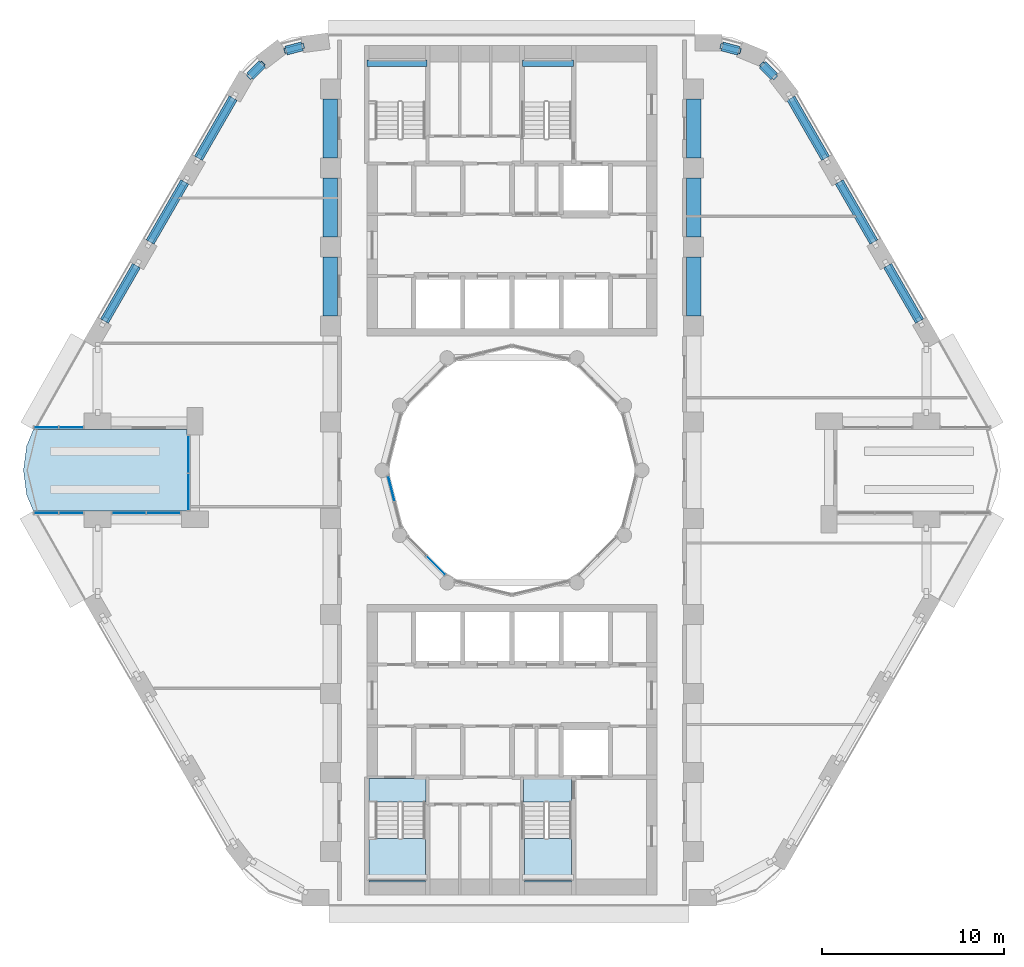
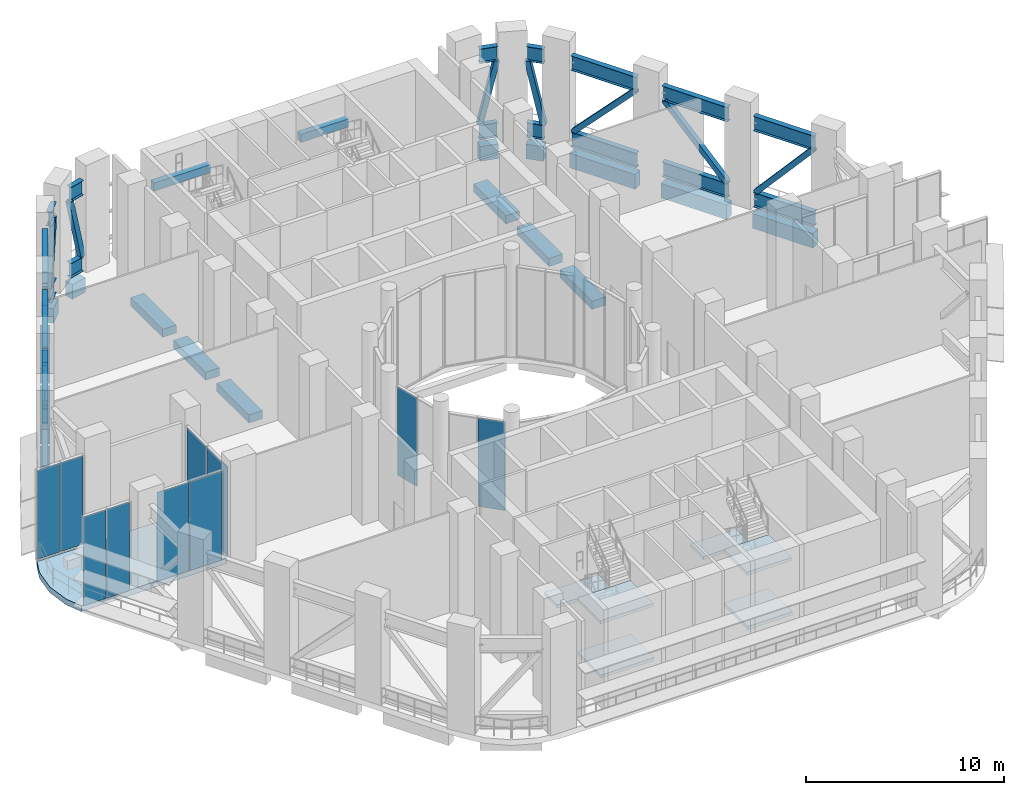
# One storey, part 6 of 20: 30 members, 18 beams, 10 plates, 7 slabs, 8 elements without a shape of their own.
"""IFC4 building model written with IfcOpenShell, lengths in metres."""

from ifc_helpers import new_model, si_unit, direction, frame, origin, origin_2d, place, context, subcontext, project, spatial, polyline, rectangle, hollow_rectangle, i_section, outline, extrude, material, layer, layer_set, material_profile, profile_set, type_object, element, aggregate, save


model = new_model("IFC4")

# Units and contexts
model_context = context("Model", 3, precision=1e-05, world=origin(), true_north=direction((0.0, 1.0)))
body_context = subcontext(model_context, "Body", "Model", "MODEL_VIEW")
ifc_project = project(units=[si_unit("LENGTHUNIT", "METRE"), si_unit("AREAUNIT", "SQUARE_METRE"), si_unit("VOLUMEUNIT", "CUBIC_METRE"), si_unit("PLANEANGLEUNIT", "RADIAN"), si_unit("MASSUNIT", "GRAM", prefix="KILO")], contexts=[model_context])

# Site, building, storey
site_placement = place(None, origin())
site = spatial("IfcSite", under=ifc_project, at=site_placement, CompositionType="ELEMENT")
building_placement = place(site_placement, origin())
building = spatial("IfcBuilding", under=site, at=building_placement, Name="Nakaniwa Court", CompositionType="ELEMENT")
storey_placement = place(building_placement, frame((0.0, 0.0, 71.10009765625)))
storey = spatial("IfcBuildingStorey", under=building, at=storey_placement, Name="S1", CompositionType="ELEMENT", Elevation=71.10009765625)

# Members
ifc_material_1 = material(Name="Steel Grade 350", Category="steel")
ifc_material_profile_1 = material_profile(ifc_material_1, i_section(OverallWidth=0.300048828125, OverallDepth=0.89990234375, WebThickness=0.011962890625, FlangeThickness=0.02001953125, at=origin_2d()), Name="900WB175")
ifc_profile_set_1 = profile_set([ifc_material_profile_1], Name="Steel Grade 350")
member_type_1 = type_object("IfcMemberType", Name="BELT chord 900 WB175", PredefinedType="CHORD", material=ifc_profile_set_1)
for number, where, z_axis, x_axis, name in (
    (1, (68.444580078125, 103.35546875, 0.449951171875), (-0.966287893493, -0.25746399144, 0.0), (0.25746399144, -0.966287893493, 0.0), "BELT CHORD BT-01-B"),
    (2, (68.444580078125, 103.35546875, 5.139892578125), (-0.966287893493, -0.25746399144, 0.0), (0.25746399144, -0.966287893493, 0.0), "BELT CHORD BT-01-T"),
):
    element("IfcMember", number, at=place(storey_placement, frame(where, z_axis=z_axis, x_axis=x_axis)), inside=storey, type_object=member_type_1, Name=name, PredefinedType="CHORD", context=body_context, shape_type="SweptSolid", body=[
        extrude(i_section(OverallWidth=0.300048828125, OverallDepth=0.89990234375, WebThickness=0.011962890625, FlangeThickness=0.02001953125, at=origin_2d()), origin(), (0.0, 0.0, 1.0), 0.91796875),
    ])
for number, where, z_axis, x_axis, name in (
    (3, (66.238525390625, 102.374267578125, 0.449951171875), (-0.706081618928, -0.708130459317, 0.0), (0.708130459317, -0.706081618928, 0.0), "BELT CHORD BT-02-B"),
    (4, (66.238525390625, 102.374267578125, 5.139892578125), (-0.706081618928, -0.708130459317, 0.0), (0.708130459317, -0.706081618928, 0.0), "BELT CHORD BT-02-T"),
):
    element("IfcMember", number, at=place(storey_placement, frame(where, z_axis=z_axis, x_axis=x_axis)), inside=storey, type_object=member_type_1, Name=name, PredefinedType="CHORD", context=body_context, shape_type="SweptSolid", body=[
        extrude(i_section(OverallWidth=0.300048828125, OverallDepth=0.89990234375, WebThickness=0.011962890625, FlangeThickness=0.02001953125, at=origin_2d()), origin(), (0.0, 0.0, 1.0), 0.953369140625),
    ])
for number, where, z_axis, x_axis, name in (
    (5, (64.642578125, 100.5, 0.449951171875), (-0.500009674092, -0.866019818373, 0.0), (0.866019818373, -0.500009674092, 0.0), "BELT CHORD BT-03-B"),
    (6, (64.642578125, 100.5, 5.139892578125), (-0.500009674092, -0.866019818373, 0.0), (0.866019818373, -0.500009674092, 0.0), "BELT CHORD BT-03-T"),
):
    element("IfcMember", number, at=place(storey_placement, frame(where, z_axis=z_axis, x_axis=x_axis)), inside=storey, type_object=member_type_1, Name=name, PredefinedType="CHORD", context=body_context, shape_type="SweptSolid", body=[
        extrude(i_section(OverallWidth=0.300048828125, OverallDepth=0.89990234375, WebThickness=0.011962890625, FlangeThickness=0.02001953125, at=origin_2d()), origin(), (0.0, 0.0, 1.0), 3.826171875),
    ])
for number, where, z_axis, x_axis, name in (
    (7, (61.9794921875, 95.8876953125, 0.449951171875), (-0.499961815444, -0.866047448526, 0.0), (0.866047448526, -0.499961815444, 0.0), "BELT CHORD BT-04-B"),
    (8, (61.9794921875, 95.8876953125, 5.139892578125), (-0.499961815444, -0.866047448526, 0.0), (0.866047448526, -0.499961815444, 0.0), "BELT CHORD BT-04-T"),
):
    element("IfcMember", number, at=place(storey_placement, frame(where, z_axis=z_axis, x_axis=x_axis)), inside=storey, type_object=member_type_1, Name=name, PredefinedType="CHORD", context=body_context, shape_type="SweptSolid", body=[
        extrude(i_section(OverallWidth=0.300048828125, OverallDepth=0.89990234375, WebThickness=0.011962890625, FlangeThickness=0.02001953125, at=origin_2d()), origin(), (0.0, 0.0, 1.0), 3.825927734375),
    ])
for number, where, z_axis, x_axis, name in (
    (9, (59.316650390625, 91.275146484375, 0.449951171875), (-0.500067800301, -0.865986255723, 0.0), (0.865986255723, -0.500067800301, 0.0), "BELT CHORD BT-05-B"),
    (10, (59.316650390625, 91.275146484375, 5.139892578125), (-0.500067800301, -0.865986255723, 0.0), (0.865986255723, -0.500067800301, 0.0), "BELT CHORD BT-05-T"),
    (11, (102.447998046875, 88.21923828125, 0.449951171875), (-0.500067800301, 0.865986255723, 0.0), (-0.865986255723, -0.500067800301, 0.0), "BELT CHORD BT-18-B"),
    (12, (102.447998046875, 88.21923828125, 5.139892578125), (-0.500067800301, 0.865986255723, 0.0), (-0.865986255723, -0.500067800301, 0.0), "BELT CHORD BT-18-T"),
):
    element("IfcMember", number, at=place(storey_placement, frame(where, z_axis=z_axis, x_axis=x_axis)), inside=storey, type_object=member_type_1, Name=name, PredefinedType="CHORD", context=body_context, shape_type="SweptSolid", body=[
        extrude(i_section(OverallWidth=0.300048828125, OverallDepth=0.89990234375, WebThickness=0.011962890625, FlangeThickness=0.02001953125, at=origin_2d()), origin(), (0.0, 0.0, 1.0), 3.52880859375),
    ])
for number, where, z_axis, x_axis, name in (
    (13, (99.933349609375, 92.57421875, 0.449951171875), (-0.499961815444, 0.866047448526, 0.0), (-0.866047448526, -0.499961815444, 0.0), "BELT CHORD BT-19-B"),
    (14, (99.933349609375, 92.57421875, 5.139892578125), (-0.499961815444, 0.866047448526, 0.0), (-0.866047448526, -0.499961815444, 0.0), "BELT CHORD BT-19-T"),
):
    element("IfcMember", number, at=place(storey_placement, frame(where, z_axis=z_axis, x_axis=x_axis)), inside=storey, type_object=member_type_1, Name=name, PredefinedType="CHORD", context=body_context, shape_type="SweptSolid", body=[
        extrude(i_section(OverallWidth=0.300048828125, OverallDepth=0.89990234375, WebThickness=0.011962890625, FlangeThickness=0.02001953125, at=origin_2d()), origin(), (0.0, 0.0, 1.0), 3.825927734375),
    ])
for number, where, z_axis, x_axis, name in (
    (15, (97.2705078125, 97.1865234375, 0.449951171875), (-0.500023067617, 0.86601208528, 0.0), (-0.86601208528, -0.500023067617, 0.0), "BELT CHORD BT-20-B"),
    (16, (97.2705078125, 97.1865234375, 5.139892578125), (-0.500023067617, 0.86601208528, 0.0), (-0.86601208528, -0.500023067617, 0.0), "BELT CHORD BT-20-T"),
):
    element("IfcMember", number, at=place(storey_placement, frame(where, z_axis=z_axis, x_axis=x_axis)), inside=storey, type_object=member_type_1, Name=name, PredefinedType="CHORD", context=body_context, shape_type="SweptSolid", body=[
        extrude(i_section(OverallWidth=0.300048828125, OverallDepth=0.89990234375, WebThickness=0.011962890625, FlangeThickness=0.02001953125, at=origin_2d()), origin(), (0.0, 0.0, 1.0), 3.819580078125),
    ])
for number, where, z_axis, x_axis, name in (
    (17, (94.448486328125, 101.68505859375, 0.449951171875), (-0.705908410536, 0.708303124329, 0.0), (-0.708303124329, -0.705908410536, 0.0), "BELT CHORD BT-21-B"),
    (18, (94.448486328125, 101.68505859375, 5.139892578125), (-0.705908410536, 0.708303124329, 0.0), (-0.708303124329, -0.705908410536, 0.0), "BELT CHORD BT-21-T"),
):
    element("IfcMember", number, at=place(storey_placement, frame(where, z_axis=z_axis, x_axis=x_axis)), inside=storey, type_object=member_type_1, Name=name, PredefinedType="CHORD", context=body_context, shape_type="SweptSolid", body=[
        extrude(i_section(OverallWidth=0.300048828125, OverallDepth=0.89990234375, WebThickness=0.011962890625, FlangeThickness=0.02001953125, at=origin_2d()), origin(), (0.0, 0.0, 1.0), 0.91748046875),
    ])
for number, where, z_axis, x_axis, name in (
    (19, (92.49609375, 103.10498046875, 0.449951171875), (-0.966324126494, 0.257327966912, 0.0), (-0.257327966912, -0.966324126494, 0.0), "BELT CHORD BT-22-B"),
    (20, (92.49609375, 103.10498046875, 5.139892578125), (-0.966324126494, 0.257327966912, 0.0), (-0.257327966912, -0.966324126494, 0.0), "BELT CHORD BT-22-T"),
):
    element("IfcMember", number, at=place(storey_placement, frame(where, z_axis=z_axis, x_axis=x_axis)), inside=storey, type_object=member_type_1, Name=name, PredefinedType="CHORD", context=body_context, shape_type="SweptSolid", body=[
        extrude(i_section(OverallWidth=0.300048828125, OverallDepth=0.89990234375, WebThickness=0.011962890625, FlangeThickness=0.02001953125, at=origin_2d()), origin(), (0.0, 0.0, 1.0), 0.95361328125),
    ])
ifc_material_profile_2 = material_profile(ifc_material_1, hollow_rectangle(XDim=0.300048828125, YDim=0.300048828125, WallThickness=0.012451171875, at=origin_2d()), Name="BELT diagonal 300x300x12.5 SHS")
ifc_profile_set_2 = profile_set([ifc_material_profile_2], Name="Steel Grade 350")
member_type_2 = type_object("IfcMemberType", Name="BELT diagonal 300x300x12.5 SHS", PredefinedType="BRACE", material=ifc_profile_set_2)
member_1_placement = place(storey_placement, frame((68.40576171875, 103.34521484375, 0.89990234375), z_axis=(-0.208569180982, -0.055601675509, 0.97642580385), x_axis=(0.257590104227, -0.966254282373, 0.0)))
element("IfcMember", 21, at=member_1_placement, inside=storey, type_object=member_type_2, Name="BELT DIAGONAL BT-01-D", PredefinedType="BRACE", context=body_context, shape_type="SweptSolid", body=[
    extrude(hollow_rectangle(XDim=0.300048828125, YDim=0.300048828125, WallThickness=0.012451171875, at=origin_2d()), origin(), (0.0, 0.0, 1.0), 3.881591796875),
])
member_2_placement = place(storey_placement, frame((66.210205078125, 102.345947265625, 4.68994140625), z_axis=(-0.15849928373, -0.159001459679, -0.974472427972), x_axis=(0.708224292771, -0.705987500689, 0.0)))
element("IfcMember", 22, at=member_2_placement, inside=storey, type_object=member_type_2, Name="BELT DIAGONAL BT-02-D", PredefinedType="BRACE", context=body_context, shape_type="SweptSolid", body=[
    extrude(hollow_rectangle(XDim=0.300048828125, YDim=0.300048828125, WallThickness=0.012451171875, at=origin_2d()), origin(), (0.0, 0.0, 1.0), 3.889404296875),
])
for number, where, z_axis, x_axis, name in (
    (23, (64.592529296875, 100.413330078125, 0.89990234375), (-0.345649268682, -0.598672353055, 0.722577329251), (0.866021880676, -0.500006102154, 0.0), "BELT DIAGONAL BT-03-D"),
    (24, (61.929443359375, 95.801025390625, 4.68994140625), (-0.34560828286, -0.598681984396, -0.722588953955), (0.866051035956, -0.499955601149, 0.0), "BELT DIAGONAL BT-04-D"),
):
    element("IfcMember", number, at=place(storey_placement, frame(where, z_axis=z_axis, x_axis=x_axis)), inside=storey, type_object=member_type_2, Name=name, PredefinedType="BRACE", context=body_context, shape_type="SweptSolid", body=[
        extrude(hollow_rectangle(XDim=0.300048828125, YDim=0.300048828125, WallThickness=0.012451171875, at=origin_2d()), origin(), (0.0, 0.0, 1.0), 5.2451171875),
    ])
for number, where, z_axis, x_axis, name in (
    (25, (59.2666015625, 91.188720703125, 0.89990234375), (-0.329981477951, -0.571490362518, 0.75133946373), (0.866004823592, -0.500035644245, 0.0), "BELT DIAGONAL BT-05-D"),
    (26, (102.39794921875, 88.305908203125, 4.68994140625), (-0.329981477951, 0.571490362518, -0.75133946373), (-0.866004823592, -0.500035644245, 0.0), "BELT DIAGONAL BT-18-D"),
):
    element("IfcMember", number, at=place(storey_placement, frame(where, z_axis=z_axis, x_axis=x_axis)), inside=storey, type_object=member_type_2, Name=name, PredefinedType="BRACE", context=body_context, shape_type="SweptSolid", body=[
        extrude(hollow_rectangle(XDim=0.300048828125, YDim=0.300048828125, WallThickness=0.012451171875, at=origin_2d()), origin(), (0.0, 0.0, 1.0), 5.04443359375),
    ])
member_3_placement = place(storey_placement, frame((99.88330078125, 92.660888671875, 0.89990234375), z_axis=(-0.34560828286, 0.598681984396, 0.722588953955), x_axis=(-0.866051035956, -0.499955601149, 0.0)))
element("IfcMember", 27, at=member_3_placement, inside=storey, type_object=member_type_2, Name="BELT DIAGONAL BT-19-D", PredefinedType="BRACE", context=body_context, shape_type="SweptSolid", body=[
    extrude(hollow_rectangle(XDim=0.300048828125, YDim=0.300048828125, WallThickness=0.012451171875, at=origin_2d()), origin(), (0.0, 0.0, 1.0), 5.2451171875),
])
member_4_placement = place(storey_placement, frame((97.220458984375, 97.273193359375, 4.68994140625), z_axis=(-0.345337594876, 0.598109993339, -0.723191801276), x_axis=(-0.866013723652, -0.500020230036, 0.0)))
element("IfcMember", 28, at=member_4_placement, inside=storey, type_object=member_type_2, Name="BELT DIAGONAL BT-20-D", PredefinedType="BRACE", context=body_context, shape_type="SweptSolid", body=[
    extrude(hollow_rectangle(XDim=0.300048828125, YDim=0.300048828125, WallThickness=0.012451171875, at=origin_2d()), origin(), (0.0, 0.0, 1.0), 5.24072265625),
])
member_5_placement = place(storey_placement, frame((94.42041015625, 101.71337890625, 0.89990234375), z_axis=(-0.152340434133, 0.152843623016, 0.976438026211), x_axis=(-0.708271699374, -0.705939940693, 0.0)))
element("IfcMember", 29, at=member_5_placement, inside=storey, type_object=member_type_2, Name="BELT DIAGONAL BT-21-D", PredefinedType="BRACE", context=body_context, shape_type="SweptSolid", body=[
    extrude(hollow_rectangle(XDim=0.300048828125, YDim=0.300048828125, WallThickness=0.012451171875, at=origin_2d()), origin(), (0.0, 0.0, 1.0), 3.881591796875),
])
member_6_placement = place(storey_placement, frame((92.45751953125, 103.115234375, 4.68994140625), z_axis=(-0.21705944237, 0.057811378376, -0.974444992295), x_axis=(-0.25736696234, -0.966313741337, 0.0)))
element("IfcMember", 30, at=member_6_placement, inside=storey, type_object=member_type_2, Name="BELT DIAGONAL BT-22-D", PredefinedType="BRACE", context=body_context, shape_type="SweptSolid", body=[
    extrude(hollow_rectangle(XDim=0.300048828125, YDim=0.300048828125, WallThickness=0.012451171875, at=origin_2d()), origin(), (0.0, 0.0, 1.0), 3.889404296875),
])

# Beams
ifc_material_2 = material(Name="Concrete C80/100", Category="concrete")
ifc_material_profile_3 = material_profile(ifc_material_2, rectangle(XDim=0.35009765625, YDim=0.5, at=origin_2d()), Name="Concrete C80/100 RC 350x500 landing ledge beam")
ifc_profile_set_3 = profile_set([ifc_material_profile_3], Name="Concrete C80/100")
beam_type_1 = type_object("IfcBeamType", Name="Concrete C80/100 RC 350x500 landing ledge beam", PredefinedType="BEAM", material=ifc_profile_set_3)
beam_1_placement = place(storey_placement, frame((72.02490234375, 102.425048828125, 4.5), z_axis=(1.0, 0.0, 0.0), x_axis=(0.0, 1.0, 0.0)))
element("IfcBeam", 31, at=beam_1_placement, inside=storey, type_object=beam_type_1, Name="LANDING LEDGE BEAM", PredefinedType="BEAM", context=body_context, shape_type="SweptSolid", body=[
    extrude(rectangle(XDim=0.35009765625, YDim=0.5, at=origin_2d()), origin(), (0.0, 0.0, 1.0), 3.300048828125),
])
beam_2_placement = place(storey_placement, frame((80.574951171875, 102.425048828125, 4.5), z_axis=(1.0, 0.0, 0.0), x_axis=(0.0, 1.0, 0.0)))
element("IfcBeam", 32, at=beam_2_placement, inside=storey, type_object=beam_type_1, Name="LANDING LEDGE BEAM", PredefinedType="BEAM", context=body_context, shape_type="SweptSolid", body=[
    extrude(rectangle(XDim=0.35009765625, YDim=0.5, at=origin_2d()), origin(), (0.0, 0.0, 1.0), 2.800048828125),
])
ifc_material_profile_4 = material_profile(ifc_material_2, rectangle(XDim=0.5, YDim=0.89990234375, at=origin_2d()), Name="Concrete C80/100 RC 500x900 spandrel beam")
ifc_profile_set_4 = profile_set([ifc_material_profile_4], Name="Concrete C80/100")
beam_type_2 = type_object("IfcBeamType", Name="Concrete C80/100 RC 500x900 spandrel beam", PredefinedType="BEAM", material=ifc_profile_set_4)
beam_3_placement = place(storey_placement, frame((68.444580078125, 103.35546875, -0.800048828125), z_axis=(-0.966287893493, -0.25746399144, 0.0), x_axis=(0.25746399144, -0.966287893493, 0.0)))
element("IfcBeam", 33, at=beam_3_placement, inside=storey, type_object=beam_type_2, Name="SPANDREL BEAM", PredefinedType="BEAM", context=body_context, shape_type="SweptSolid", body=[
    extrude(rectangle(XDim=0.5, YDim=0.89990234375, at=origin_2d()), origin(), (0.0, 0.0, 1.0), 0.91796875),
])
beam_4_placement = place(storey_placement, frame((66.238525390625, 102.374267578125, -0.800048828125), z_axis=(-0.706081618928, -0.708130459317, 0.0), x_axis=(0.708130459317, -0.706081618928, 0.0)))
element("IfcBeam", 34, at=beam_4_placement, inside=storey, type_object=beam_type_2, Name="SPANDREL BEAM", PredefinedType="BEAM", context=body_context, shape_type="SweptSolid", body=[
    extrude(rectangle(XDim=0.5, YDim=0.89990234375, at=origin_2d()), origin(), (0.0, 0.0, 1.0), 0.953369140625),
])
beam_5_placement = place(storey_placement, frame((64.642578125, 100.5, -0.800048828125), z_axis=(-0.500009674092, -0.866019818373, 0.0), x_axis=(0.866019818373, -0.500009674092, 0.0)))
element("IfcBeam", 35, at=beam_5_placement, inside=storey, type_object=beam_type_2, Name="SPANDREL BEAM", PredefinedType="BEAM", context=body_context, shape_type="SweptSolid", body=[
    extrude(rectangle(XDim=0.5, YDim=0.89990234375, at=origin_2d()), origin(), (0.0, 0.0, 1.0), 3.826171875),
])
beam_6_placement = place(storey_placement, frame((61.9794921875, 95.8876953125, -0.800048828125), z_axis=(-0.499961815444, -0.866047448526, 0.0), x_axis=(0.866047448526, -0.499961815444, 0.0)))
element("IfcBeam", 36, at=beam_6_placement, inside=storey, type_object=beam_type_2, Name="SPANDREL BEAM", PredefinedType="BEAM", context=body_context, shape_type="SweptSolid", body=[
    extrude(rectangle(XDim=0.5, YDim=0.89990234375, at=origin_2d()), origin(), (0.0, 0.0, 1.0), 3.825927734375),
])
for number, where, z_axis, x_axis, name in (
    (37, (59.316650390625, 91.275146484375, -0.800048828125), (-0.500067800301, -0.865986255723, 0.0), (0.865986255723, -0.500067800301, 0.0), "SPANDREL BEAM"),
    (38, (102.447998046875, 88.21923828125, -0.800048828125), (-0.500067800301, 0.865986255723, 0.0), (-0.865986255723, -0.500067800301, 0.0), "SPANDREL BEAM"),
):
    element("IfcBeam", number, at=place(storey_placement, frame(where, z_axis=z_axis, x_axis=x_axis)), inside=storey, type_object=beam_type_2, Name=name, PredefinedType="BEAM", context=body_context, shape_type="SweptSolid", body=[
        extrude(rectangle(XDim=0.5, YDim=0.89990234375, at=origin_2d()), origin(), (0.0, 0.0, 1.0), 3.52880859375),
    ])
beam_7_placement = place(storey_placement, frame((99.933349609375, 92.57421875, -0.800048828125), z_axis=(-0.499961815444, 0.866047448526, 0.0), x_axis=(-0.866047448526, -0.499961815444, 0.0)))
element("IfcBeam", 39, at=beam_7_placement, inside=storey, type_object=beam_type_2, Name="SPANDREL BEAM", PredefinedType="BEAM", context=body_context, shape_type="SweptSolid", body=[
    extrude(rectangle(XDim=0.5, YDim=0.89990234375, at=origin_2d()), origin(), (0.0, 0.0, 1.0), 3.825927734375),
])
beam_8_placement = place(storey_placement, frame((97.2705078125, 97.1865234375, -0.800048828125), z_axis=(-0.500023067617, 0.86601208528, 0.0), x_axis=(-0.86601208528, -0.500023067617, 0.0)))
element("IfcBeam", 40, at=beam_8_placement, inside=storey, type_object=beam_type_2, Name="SPANDREL BEAM", PredefinedType="BEAM", context=body_context, shape_type="SweptSolid", body=[
    extrude(rectangle(XDim=0.5, YDim=0.89990234375, at=origin_2d()), origin(), (0.0, 0.0, 1.0), 3.819580078125),
])
beam_9_placement = place(storey_placement, frame((94.448486328125, 101.68505859375, -0.800048828125), z_axis=(-0.705908410536, 0.708303124329, 0.0), x_axis=(-0.708303124329, -0.705908410536, 0.0)))
element("IfcBeam", 41, at=beam_9_placement, inside=storey, type_object=beam_type_2, Name="SPANDREL BEAM", PredefinedType="BEAM", context=body_context, shape_type="SweptSolid", body=[
    extrude(rectangle(XDim=0.5, YDim=0.89990234375, at=origin_2d()), origin(), (0.0, 0.0, 1.0), 0.91748046875),
])
beam_10_placement = place(storey_placement, frame((92.49609375, 103.10498046875, -0.800048828125), z_axis=(-0.966324126494, 0.257327966912, 0.0), x_axis=(-0.257327966912, -0.966324126494, 0.0)))
element("IfcBeam", 42, at=beam_10_placement, inside=storey, type_object=beam_type_2, Name="SPANDREL BEAM", PredefinedType="BEAM", context=body_context, shape_type="SweptSolid", body=[
    extrude(rectangle(XDim=0.5, YDim=0.89990234375, at=origin_2d()), origin(), (0.0, 0.0, 1.0), 0.95361328125),
])
ifc_material_profile_5 = material_profile(ifc_material_2, rectangle(XDim=0.800048828125, YDim=0.5, at=origin_2d()), Name="Concrete C80/100 RC 800x500 ring beam")
ifc_profile_set_5 = profile_set([ifc_material_profile_5], Name="Concrete C80/100")
beam_type_3 = type_object("IfcBeamType", Name="Concrete C80/100 RC 800x500 ring beam", PredefinedType="BEAM", material=ifc_profile_set_5)
for number, where, z_axis, x_axis, name in (
    (43, (90.0, 88.5, -0.60009765625), (0.0, 1.0, 0.0), (-1.0, 0.0, 0.0), "RING BEAM"),
    (44, (90.0, 92.85009765625, -0.60009765625), (0.0, 1.0, 0.0), (-1.0, 0.0, 0.0), "RING BEAM"),
    (45, (90.0, 97.199951171875, -0.60009765625), (0.0, 1.0, 0.0), (-1.0, 0.0, 0.0), "RING BEAM"),
    (46, (70.0, 100.449951171875, -0.60009765625), (0.0, -1.0, 0.0), (1.0, 0.0, 0.0), "RING BEAM"),
    (47, (70.0, 96.10009765625, -0.60009765625), (0.0, -1.0, 0.0), (1.0, 0.0, 0.0), "RING BEAM"),
    (48, (70.0, 91.75, -0.60009765625), (0.0, -1.0, 0.0), (1.0, 0.0, 0.0), "RING BEAM"),
):
    element("IfcBeam", number, at=place(storey_placement, frame(where, z_axis=z_axis, x_axis=x_axis)), inside=storey, type_object=beam_type_3, Name=name, PredefinedType="BEAM", context=body_context, shape_type="SweptSolid", body=[
        extrude(rectangle(XDim=0.800048828125, YDim=0.5, at=origin_2d()), origin(), (0.0, 0.0, 1.0), 3.25),
    ])

# Curtain wall, plate
ifc_material_3 = material(Name="Black anodised aluminium frame with dark low-E laminated double glazing", Category="aluminium")
ifc_layer_1 = layer(ifc_material_3, 0.199951171875)
ifc_layer_set_1 = layer_set([ifc_layer_1], Name="Black anodised aluminium frame with dark low-E laminated double glazing")
curtain_wall_type = type_object("IfcCurtainWallType", Name="Amenity and sky level curtain wall", PredefinedType="NOTDEFINED", material=ifc_layer_set_1)
curtain_wall_1_placement = place(storey_placement, origin())
curtain_wall_1 = element("IfcCurtainWall", 49, at=curtain_wall_1_placement, inside=storey, type_object=curtain_wall_type, Name="S1 curtain wall CW3 40", PredefinedType="NOTDEFINED")
ifc_material_4 = material(Name="Dark toughened glass", Category="glass")
ifc_layer_2 = layer(ifc_material_4, 0.006, Name="Outer pane")
ifc_material_5 = material(Name="Argon filled cavity")
ifc_layer_3 = layer(ifc_material_5, 0.016, Name="Cavity")
ifc_material_6 = material(Name="Dark laminated safety glass", Category="glass")
ifc_layer_4 = layer(ifc_material_6, 0.006, Name="Inner pane")
ifc_layer_set_2 = layer_set([ifc_layer_2, ifc_layer_3, ifc_layer_4], Name="Dark low-E laminated double glazing")
plate_type = type_object("IfcPlateType", Name="Amenity and sky level curtain wall glass panel", PredefinedType="CURTAIN_PANEL", material=ifc_layer_set_2)
plate_1_placement = place(storey_placement, frame((75.810791015625, 74.758056640625, 0.054931640625), z_axis=(0.0, 0.0, 1.0), x_axis=(-0.707106781187, 0.707106781187, 0.0)))
plate_1 = element("IfcPlate", 50, at=plate_1_placement, type_object=plate_type, Name="CW3 panel 1.1", PredefinedType="CURTAIN_PANEL", context=body_context, shape_type="SweptSolid", body=[
    extrude(rectangle(XDim=1.43408203125, YDim=0.028076171875, at=origin_2d()), origin(), (0.0, 0.0, 1.0), 5.47998046875),
])
aggregate(curtain_wall_1, [plate_1])

curtain_wall_2_placement = place(storey_placement, origin())
curtain_wall_2 = element("IfcCurtainWall", 51, at=curtain_wall_2_placement, inside=storey, type_object=curtain_wall_type, Name="S1 curtain wall CW3 41", PredefinedType="NOTDEFINED")
plate_2_placement = place(storey_placement, frame((73.35302734375, 78.99365234375, 0.054931640625), z_axis=(0.0, 0.0, 1.0), x_axis=(-0.247113807661, 0.968986463302, 0.0)))
plate_2 = element("IfcPlate", 52, at=plate_2_placement, type_object=plate_type, Name="CW3 panel 2.1", PredefinedType="CURTAIN_PANEL", context=body_context, shape_type="SweptSolid", body=[
    extrude(rectangle(XDim=1.42236328125, YDim=0.028076171875, at=origin_2d()), origin(), (0.0, 0.0, 1.0), 5.47998046875),
])
aggregate(curtain_wall_2, [plate_2])

# Curtain wall, plates
curtain_wall_3_placement = place(storey_placement, origin())
curtain_wall_3 = element("IfcCurtainWall", 53, at=curtain_wall_3_placement, inside=storey, type_object=curtain_wall_type, Name="S1 curtain wall CW3 15", PredefinedType="NOTDEFINED")
plate_3_placement = place(storey_placement, frame((54.35400390625, 82.35009765625, 0.054931640625), z_axis=(0.0, 0.0, 1.0), x_axis=(1.0, 0.0, 0.0)))
plate_3 = element("IfcPlate", 54, at=plate_3_placement, type_object=plate_type, Name="CW3 panel 1.1", PredefinedType="CURTAIN_PANEL", context=body_context, shape_type="SweptSolid", body=[
    extrude(rectangle(XDim=1.311279296875, YDim=0.028076171875, at=origin_2d()), origin(), (0.0, 0.0, 1.0), 5.47998046875),
])
plate_4_placement = place(storey_placement, frame((55.720458984375, 82.35009765625, 0.054931640625), z_axis=(0.0, 0.0, 1.0), x_axis=(1.0, 0.0, 0.0)))
plate_4 = element("IfcPlate", 55, at=plate_4_placement, type_object=plate_type, Name="CW3 panel 2.1", PredefinedType="CURTAIN_PANEL", context=body_context, shape_type="SweptSolid", body=[
    extrude(rectangle(XDim=1.311279296875, YDim=0.028076171875, at=origin_2d()), origin(), (0.0, 0.0, 1.0), 5.47998046875),
])
aggregate(curtain_wall_3, [plate_3, plate_4])

curtain_wall_4_placement = place(storey_placement, origin())
curtain_wall_4 = element("IfcCurtainWall", 56, at=curtain_wall_4_placement, inside=storey, type_object=curtain_wall_type, Name="S1 curtain wall CW3 17", PredefinedType="NOTDEFINED")
plate_5_placement = place(storey_placement, frame((62.191650390625, 80.88818359375, 0.054931640625), z_axis=(0.0, 0.0, 1.0), x_axis=(0.0, -1.0, 0.0)))
plate_5 = element("IfcPlate", 57, at=plate_5_placement, type_object=plate_type, Name="CW3 panel 1.1", PredefinedType="CURTAIN_PANEL", context=body_context, shape_type="SweptSolid", body=[
    extrude(rectangle(XDim=2.021484375, YDim=0.028076171875, at=origin_2d()), origin(), (0.0, 0.0, 1.0), 5.47998046875),
])
plate_6_placement = place(storey_placement, frame((62.191650390625, 78.811767578125, 0.054931640625), z_axis=(0.0, 0.0, 1.0), x_axis=(0.0, -1.0, 0.0)))
plate_6 = element("IfcPlate", 58, at=plate_6_placement, type_object=plate_type, Name="CW3 panel 2.1", PredefinedType="CURTAIN_PANEL", context=body_context, shape_type="SweptSolid", body=[
    extrude(rectangle(XDim=2.021484375, YDim=0.028076171875, at=origin_2d()), origin(), (0.0, 0.0, 1.0), 5.47998046875),
])
aggregate(curtain_wall_4, [plate_5, plate_6])

curtain_wall_5_placement = place(storey_placement, origin())
curtain_wall_5 = element("IfcCurtainWall", 59, at=curtain_wall_5_placement, inside=storey, type_object=curtain_wall_type, Name="S1 curtain wall CW3 18", PredefinedType="NOTDEFINED")
plate_7_placement = place(storey_placement, frame((60.813720703125, 77.64990234375, 0.054931640625), z_axis=(0.0, 0.0, 1.0), x_axis=(-1.0, 0.0, 0.0)))
plate_7 = element("IfcPlate", 60, at=plate_7_placement, type_object=plate_type, Name="CW3 panel 1.1", PredefinedType="CURTAIN_PANEL", context=body_context, shape_type="SweptSolid", body=[
    extrude(rectangle(XDim=1.853759765625, YDim=0.028076171875, at=origin_2d()), origin(), (0.0, 0.0, 1.0), 5.47998046875),
])
plate_8_placement = place(storey_placement, frame((58.905029296875, 77.64990234375, 0.054931640625), z_axis=(0.0, 0.0, 1.0), x_axis=(-1.0, 0.0, 0.0)))
plate_8 = element("IfcPlate", 61, at=plate_8_placement, type_object=plate_type, Name="CW3 panel 2.1", PredefinedType="CURTAIN_PANEL", context=body_context, shape_type="SweptSolid", body=[
    extrude(rectangle(XDim=1.853759765625, YDim=0.028076171875, at=origin_2d()), origin(), (0.0, 0.0, 1.0), 5.47998046875),
])
aggregate(curtain_wall_5, [plate_7, plate_8])

curtain_wall_6_placement = place(storey_placement, origin())
curtain_wall_6 = element("IfcCurtainWall", 62, at=curtain_wall_6_placement, inside=storey, type_object=curtain_wall_type, Name="S1 curtain wall CW3 19", PredefinedType="NOTDEFINED")
plate_9_placement = place(storey_placement, frame((55.720458984375, 77.64990234375, 0.054931640625), z_axis=(0.0, 0.0, 1.0), x_axis=(-1.0, 0.0, 0.0)))
plate_9 = element("IfcPlate", 63, at=plate_9_placement, type_object=plate_type, Name="CW3 panel 1.1", PredefinedType="CURTAIN_PANEL", context=body_context, shape_type="SweptSolid", body=[
    extrude(rectangle(XDim=1.311279296875, YDim=0.028076171875, at=origin_2d()), origin(), (0.0, 0.0, 1.0), 5.47998046875),
])
plate_10_placement = place(storey_placement, frame((54.35400390625, 77.64990234375, 0.054931640625), z_axis=(0.0, 0.0, 1.0), x_axis=(-1.0, 0.0, 0.0)))
plate_10 = element("IfcPlate", 64, at=plate_10_placement, type_object=plate_type, Name="CW3 panel 2.1", PredefinedType="CURTAIN_PANEL", context=body_context, shape_type="SweptSolid", body=[
    extrude(rectangle(XDim=1.311279296875, YDim=0.028076171875, at=origin_2d()), origin(), (0.0, 0.0, 1.0), 5.47998046875),
])
aggregate(curtain_wall_6, [plate_9, plate_10])

# Slab
ifc_layer_5 = layer(ifc_material_2, 0.35009765625)
ifc_layer_set_3 = layer_set([ifc_layer_5], Name="Concrete C80/100")
slab_type_1 = type_object("IfcSlabType", Name="Concrete C80/100 post tensioned floor slab 350", PredefinedType="FLOOR", material=ifc_layer_set_3)
slab_1_placement = place(storey_placement, frame((0.0, 0.0, -0.35009765625)))
element("IfcSlab", 65, at=slab_1_placement, inside=storey, type_object=slab_type_1, Name="BRIDGING TERRACE", PredefinedType="FLOOR", context=body_context, shape_type="SweptSolid", body=[
    extrude(outline(polyline([(53.643310546875, 82.25), (53.268798828125, 81.345947265625), (53.091552734375, 80.0), (53.268798828125, 78.654052734375), (53.643310546875, 77.75), (62.091552734375, 77.75), (62.091552734375, 82.25), (53.643310546875, 82.25)])), origin(), (0.0, 0.0, 1.0), 0.35009765625),
])

# Stair, slabs
stair_type = type_object("IfcStairType", Name="Dog leg stair 1300 wide 36 risers", PredefinedType="HALF_TURN_STAIR", material=ifc_material_2)
stair_1_placement = place(storey_placement, origin())
stair_1 = element("IfcStair", 66, at=stair_1_placement, inside=storey, type_object=stair_type, Name="S1 Stair ST3", PredefinedType="HALF_TURN_STAIR")
ifc_layer_6 = layer(ifc_material_2, 0.199951171875)
ifc_layer_set_4 = layer_set([ifc_layer_6], Name="Concrete C80/100")
slab_type_2 = type_object("IfcSlabType", Name="Stair landing concrete", PredefinedType="LANDING", material=ifc_layer_set_4)
slab_2_placement = place(storey_placement, frame((0.0, 0.0, 1.449951171875)))
slab_2 = element("IfcSlab", 67, at=slab_2_placement, type_object=slab_type_2, Name="ST3 landing 1", PredefinedType="LANDING", context=body_context, shape_type="SweptSolid", body=[
    extrude(outline(polyline([(75.22509765625, 57.324951171875), (75.22509765625, 59.72509765625), (72.125, 59.72509765625), (72.125, 57.324951171875), (75.22509765625, 57.324951171875)])), origin(), (0.0, 0.0, 1.0), 0.199951171875),
])
slab_3_placement = place(storey_placement, frame((0.0, 0.0, 3.099853515625)))
slab_3 = element("IfcSlab", 68, at=slab_3_placement, type_object=slab_type_2, Name="ST3 landing 2", PredefinedType="LANDING", context=body_context, shape_type="SweptSolid", body=[
    extrude(outline(polyline([(75.27490234375, 61.72509765625), (75.27490234375, 63.02490234375), (72.125, 63.02490234375), (72.125, 61.72509765625), (75.27490234375, 61.72509765625)])), origin(), (0.0, 0.0, 1.0), 0.199951171875),
])
slab_4_placement = place(storey_placement, frame((0.0, 0.0, 4.75)))
slab_4 = element("IfcSlab", 69, at=slab_4_placement, type_object=slab_type_2, Name="ST3 landing 3", PredefinedType="LANDING", context=body_context, shape_type="SweptSolid", body=[
    extrude(outline(polyline([(75.22509765625, 57.39990234375), (75.22509765625, 59.72509765625), (72.125, 59.72509765625), (72.125, 57.39990234375), (75.22509765625, 57.39990234375)])), origin(), (0.0, 0.0, 1.0), 0.199951171875),
])
aggregate(stair_1, [slab_2, slab_3, slab_4])

stair_2_placement = place(storey_placement, origin())
stair_2 = element("IfcStair", 70, at=stair_2_placement, inside=storey, type_object=stair_type, Name="S1 Stair ST4", PredefinedType="HALF_TURN_STAIR")
slab_5_placement = place(storey_placement, frame((0.0, 0.0, 1.449951171875)))
slab_5 = element("IfcSlab", 71, at=slab_5_placement, type_object=slab_type_2, Name="ST4 landing 1", PredefinedType="LANDING", context=body_context, shape_type="SweptSolid", body=[
    extrude(outline(polyline([(83.27490234375, 57.324951171875), (83.27490234375, 59.72509765625), (80.675048828125, 59.72509765625), (80.675048828125, 57.324951171875), (83.27490234375, 57.324951171875)])), origin(), (0.0, 0.0, 1.0), 0.199951171875),
])
slab_6_placement = place(storey_placement, frame((0.0, 0.0, 3.099853515625)))
slab_6 = element("IfcSlab", 72, at=slab_6_placement, type_object=slab_type_2, Name="ST4 landing 2", PredefinedType="LANDING", context=body_context, shape_type="SweptSolid", body=[
    extrude(outline(polyline([(83.27490234375, 61.72509765625), (83.27490234375, 63.02490234375), (80.625, 63.02490234375), (80.625, 61.72509765625), (83.27490234375, 61.72509765625)])), origin(), (0.0, 0.0, 1.0), 0.199951171875),
])
slab_7_placement = place(storey_placement, frame((0.0, 0.0, 4.75)))
slab_7 = element("IfcSlab", 73, at=slab_7_placement, type_object=slab_type_2, Name="ST4 landing 3", PredefinedType="LANDING", context=body_context, shape_type="SweptSolid", body=[
    extrude(outline(polyline([(83.27490234375, 57.39990234375), (83.27490234375, 59.72509765625), (80.675048828125, 59.72509765625), (80.675048828125, 57.39990234375), (83.27490234375, 57.39990234375)])), origin(), (0.0, 0.0, 1.0), 0.199951171875),
])
aggregate(stair_2, [slab_5, slab_6, slab_7])

save(model, "model.ifc")
